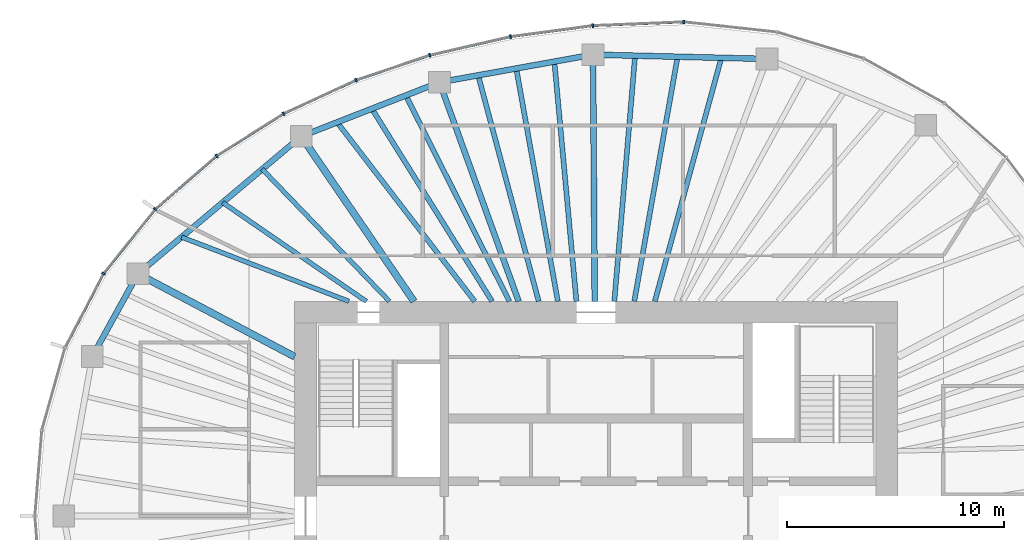
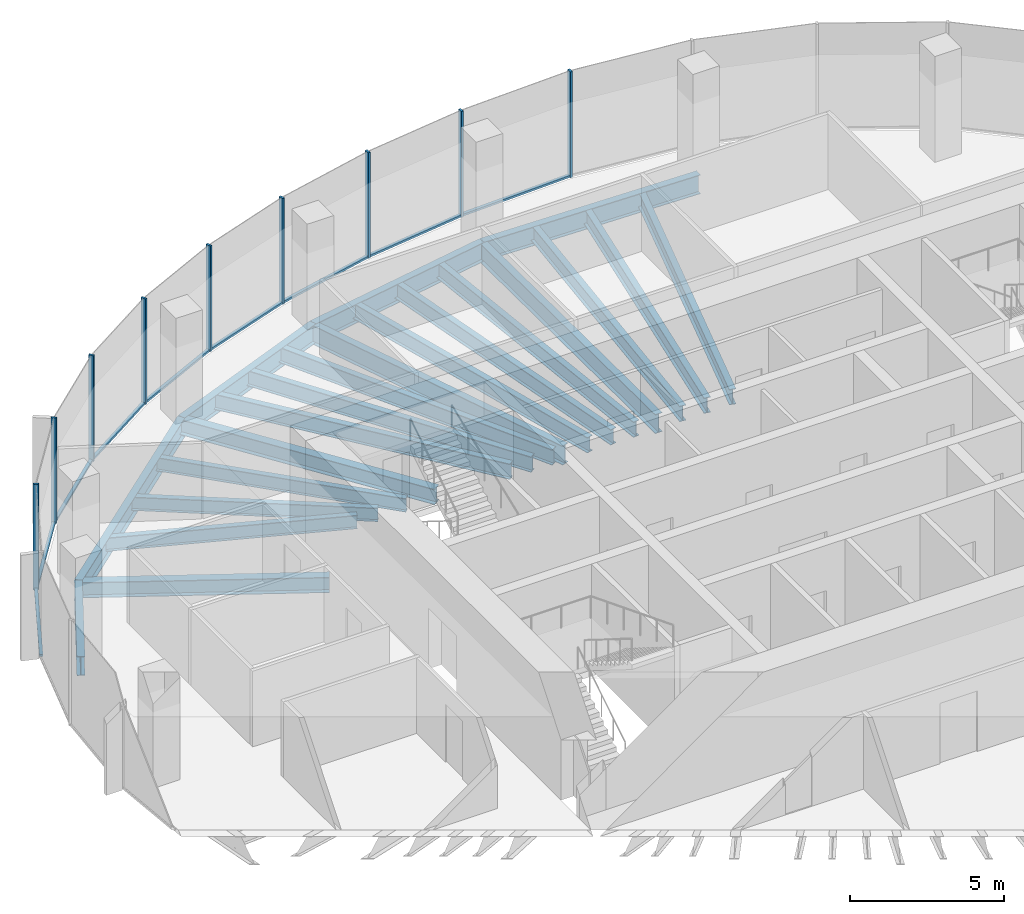
# One storey, part 5 of 11: 21 beams, 18 members, 5 elements without a shape of their own.
"""IFC4 building model written with IfcOpenShell, lengths in metres."""

from ifc_helpers import new_model, si_unit, direction, frame, origin, origin_2d, place, context, subcontext, project, spatial, rectangle, i_section, extrude, material, material_profile, profile_set, type_object, element, aggregate, save


model = new_model("IFC4")

# Units and contexts
model_context = context("Model", 3, precision=1e-05, world=origin(), true_north=direction((0.0, 1.0)))
body_context = subcontext(model_context, "Body", "Model", "MODEL_VIEW")
ifc_project = project(units=[si_unit("LENGTHUNIT", "METRE"), si_unit("AREAUNIT", "SQUARE_METRE"), si_unit("VOLUMEUNIT", "CUBIC_METRE"), si_unit("PLANEANGLEUNIT", "RADIAN"), si_unit("MASSUNIT", "GRAM", prefix="KILO")], contexts=[model_context])

# Site, building, storey
site_placement = place(None, origin())
site = spatial("IfcSite", under=ifc_project, at=site_placement, CompositionType="ELEMENT")
building_placement = place(site_placement, origin())
building = spatial("IfcBuilding", under=site, at=building_placement, Name="Ghaith Harvest Tower", CompositionType="ELEMENT")
storey_placement = place(building_placement, frame((0.0, 0.0, 321.60009765625)))
storey = spatial("IfcBuildingStorey", under=building, at=storey_placement, Name="L72", CompositionType="ELEMENT", Elevation=321.60009765625)

# Curtain wall, member
ifc_material_1 = material(Name="Black anodised aluminium and fritted glass", Category="aluminium")
curtain_wall_type = type_object("IfcCurtainWallType", Name="CW-T CURTAIN WALL", PredefinedType="NOTDEFINED", material=ifc_material_1)
curtain_wall_1_placement = place(storey_placement, origin())
curtain_wall_1 = element("IfcCurtainWall", 1, at=curtain_wall_1_placement, inside=storey, type_object=curtain_wall_type, Name="Curtain wall CW-T bay 05 L72", PredefinedType="NOTDEFINED")
ifc_material_2 = material(Name="Aluminium, black anodised", Category="aluminium")
ifc_material_profile_1 = material_profile(ifc_material_2, rectangle(XDim=0.080078125, YDim=0.179931640625, at=origin_2d()), Name="CW-T MULLION 80x180")
ifc_profile_set_1 = profile_set([ifc_material_profile_1], Name="Aluminium, black anodised")
member_type_1 = type_object("IfcMemberType", Name="CW-T MULLION 80x180", PredefinedType="MULLION", material=ifc_profile_set_1)
member_1_placement = place(storey_placement, frame((4.037841796875, 22.776611328125, 0.0), z_axis=(0.0, 0.0, 1.0), x_axis=(-0.999388631236, 0.034962319079, 0.0)))
member_1 = element("IfcMember", 2, at=member_1_placement, type_object=member_type_1, Name="CW-T mullion 2 bay 05 L72", PredefinedType="MULLION", context=body_context, shape_type="SweptSolid", body=[
    extrude(rectangle(XDim=0.080078125, YDim=0.179931640625, at=origin_2d()), origin(), (0.0, 0.0, 1.0), 4.199951171875),
])

# Curtain wall, members
curtain_wall_2_placement = place(storey_placement, origin())
curtain_wall_2 = element("IfcCurtainWall", 3, at=curtain_wall_2_placement, inside=storey, type_object=curtain_wall_type, Name="Curtain wall CW-T bay 06 L72", PredefinedType="NOTDEFINED")
member_2_placement = place(storey_placement, frame((-0.15478515625, 22.60595703125, 0.0), z_axis=(0.0, 0.0, 1.0), x_axis=(-0.996414855482, -0.084601629853, 0.0)))
member_2 = element("IfcMember", 4, at=member_2_placement, type_object=member_type_1, Name="CW-T mullion 1 bay 06 L72", PredefinedType="MULLION", context=body_context, shape_type="SweptSolid", body=[
    extrude(rectangle(XDim=0.080078125, YDim=0.179931640625, at=origin_2d()), origin(), (0.0, 0.0, 1.0), 4.199951171875),
])
member_3_placement = place(storey_placement, frame((-3.946533203125, 22.0986328125, 0.0), z_axis=(0.0, 0.0, 1.0), x_axis=(-0.983843447681, -0.179030920389, 0.0)))
member_3 = element("IfcMember", 5, at=member_3_placement, type_object=member_type_1, Name="CW-T mullion 2 bay 06 L72", PredefinedType="MULLION", context=body_context, shape_type="SweptSolid", body=[
    extrude(rectangle(XDim=0.080078125, YDim=0.179931640625, at=origin_2d()), origin(), (0.0, 0.0, 1.0), 4.199951171875),
])

curtain_wall_3_placement = place(storey_placement, origin())
curtain_wall_3 = element("IfcCurtainWall", 6, at=curtain_wall_3_placement, inside=storey, type_object=curtain_wall_type, Name="Curtain wall CW-T bay 07 L72", PredefinedType="NOTDEFINED")
member_4_placement = place(storey_placement, frame((-7.6708984375, 21.23828125, 0.0), z_axis=(0.0, 0.0, 1.0), x_axis=(-0.962552491436, -0.27109537294, 0.0)))
member_4 = element("IfcMember", 7, at=member_4_placement, type_object=member_type_1, Name="CW-T mullion 1 bay 07 L72", PredefinedType="MULLION", context=body_context, shape_type="SweptSolid", body=[
    extrude(rectangle(XDim=0.080078125, YDim=0.179931640625, at=origin_2d()), origin(), (0.0, 0.0, 1.0), 4.199951171875),
])
member_5_placement = place(storey_placement, frame((-11.0673828125, 20.093017578125, 0.0), z_axis=(0.0, 0.0, 1.0), x_axis=(-0.928624420706, -0.371021138573, 0.0)))
member_5 = element("IfcMember", 8, at=member_5_placement, type_object=member_type_1, Name="CW-T mullion 2 bay 07 L72", PredefinedType="MULLION", context=body_context, shape_type="SweptSolid", body=[
    extrude(rectangle(XDim=0.080078125, YDim=0.179931640625, at=origin_2d()), origin(), (0.0, 0.0, 1.0), 4.199951171875),
])

curtain_wall_4_placement = place(storey_placement, origin())
curtain_wall_4 = element("IfcCurtainWall", 9, at=curtain_wall_4_placement, inside=storey, type_object=curtain_wall_type, Name="Curtain wall CW-T bay 08 L72", PredefinedType="NOTDEFINED")
member_6_placement = place(storey_placement, frame((-14.40478515625, 18.5478515625, 0.0), z_axis=(0.0, 0.0, 1.0), x_axis=(-0.87867173244, -0.477426420101, 0.0)))
member_6 = element("IfcMember", 10, at=member_6_placement, type_object=member_type_1, Name="CW-T mullion 1 bay 08 L72", PredefinedType="MULLION", context=body_context, shape_type="SweptSolid", body=[
    extrude(rectangle(XDim=0.080078125, YDim=0.179931640625, at=origin_2d()), origin(), (0.0, 0.0, 1.0), 4.199951171875),
])
member_7_placement = place(storey_placement, frame((-17.49462890625, 16.600830078125, 0.0), z_axis=(0.0, 0.0, 1.0), x_axis=(-0.802189888678, -0.597068993084, 0.0)))
member_7 = element("IfcMember", 11, at=member_7_placement, type_object=member_type_1, Name="CW-T mullion 2 bay 08 L72", PredefinedType="MULLION", context=body_context, shape_type="SweptSolid", body=[
    extrude(rectangle(XDim=0.080078125, YDim=0.179931640625, at=origin_2d()), origin(), (0.0, 0.0, 1.0), 4.199951171875),
])

curtain_wall_5_placement = place(storey_placement, origin())
curtain_wall_5 = element("IfcCurtainWall", 12, at=curtain_wall_5_placement, inside=storey, type_object=curtain_wall_type, Name="Curtain wall CW-T bay 09 L72", PredefinedType="NOTDEFINED")
member_8_placement = place(storey_placement, frame((-20.324462890625, 14.141845703125, 0.0), z_axis=(0.0, 0.0, 1.0), x_axis=(-0.692826491995, -0.72110432809, 0.0)))
member_8 = element("IfcMember", 13, at=member_8_placement, type_object=member_type_1, Name="CW-T mullion 1 bay 09 L72", PredefinedType="MULLION", context=body_context, shape_type="SweptSolid", body=[
    extrude(rectangle(XDim=0.080078125, YDim=0.179931640625, at=origin_2d()), origin(), (0.0, 0.0, 1.0), 4.199951171875),
])
member_9_placement = place(storey_placement, frame((-22.706298828125, 11.176513671875, 0.0), z_axis=(0.0, 0.0, 1.0), x_axis=(-0.545865412621, -0.837872872997, 0.0)))
member_9 = element("IfcMember", 14, at=member_9_placement, type_object=member_type_1, Name="CW-T mullion 2 bay 09 L72", PredefinedType="MULLION", context=body_context, shape_type="SweptSolid", body=[
    extrude(rectangle(XDim=0.080078125, YDim=0.179931640625, at=origin_2d()), origin(), (0.0, 0.0, 1.0), 4.199951171875),
])

# Member
ifc_material_3 = material(Name="Aluminium, black anodised", Category="aluminium")
ifc_material_profile_2 = material_profile(ifc_material_3, rectangle(XDim=0.1201171875, YDim=0.080078125, at=origin_2d()), Name="CW-T TRANSOM 120x80")
ifc_profile_set_2 = profile_set([ifc_material_profile_2], Name="Aluminium, black anodised")
member_type_2 = type_object("IfcMemberType", Name="CW-T TRANSOM 120x80", PredefinedType="USERDEFINED", material=ifc_profile_set_2)
member_10_placement = place(storey_placement, frame((3.997802734375, 22.77490234375, 0.039794921875), z_axis=(-0.999174207562, -0.040631304968, 0.0), x_axis=(0.040631304968, -0.999174207562, 0.0)))
member_10 = element("IfcMember", 15, at=member_10_placement, type_object=member_type_2, Name="CW-T transom 2 bay 05 L72", ObjectType="TRANSOM", PredefinedType="USERDEFINED", context=body_context, shape_type="SweptSolid", body=[
    extrude(rectangle(XDim=0.1201171875, YDim=0.080078125, at=origin_2d()), origin(), (0.0, 0.0, 1.0), 4.115966796875),
])

aggregate(curtain_wall_1, [member_1, member_10])

member_11_placement = place(storey_placement, frame((-0.1943359375, 22.6005859375, 0.039794921875), z_axis=(-0.99117202259, -0.132582131655, 0.0), x_axis=(0.132582131655, -0.99117202259, 0.0)))
member_11 = element("IfcMember", 16, at=member_11_placement, type_object=member_type_2, Name="CW-T transom 1 bay 06 L72", ObjectType="TRANSOM", PredefinedType="USERDEFINED", context=body_context, shape_type="SweptSolid", body=[
    extrude(rectangle(XDim=0.1201171875, YDim=0.080078125, at=origin_2d()), origin(), (0.0, 0.0, 1.0), 3.745361328125),
])

member_12_placement = place(storey_placement, frame((-3.9853515625, 22.089599609375, 0.039794921875), z_axis=(-0.974344997799, -0.225059603803, 0.0), x_axis=(0.225059603803, -0.974344997799, 0.0)))
member_12 = element("IfcMember", 17, at=member_12_placement, type_object=member_type_2, Name="CW-T transom 2 bay 06 L72", ObjectType="TRANSOM", PredefinedType="USERDEFINED", context=body_context, shape_type="SweptSolid", body=[
    extrude(rectangle(XDim=0.1201171875, YDim=0.080078125, at=origin_2d()), origin(), (0.0, 0.0, 1.0), 3.742431640625),
])

aggregate(curtain_wall_2, [member_2, member_11, member_3, member_12])

member_13_placement = place(storey_placement, frame((-7.708740234375, 21.2255859375, 0.039794921875), z_axis=(-0.9475698206, -0.319548799228, 0.0), x_axis=(0.319548799228, -0.9475698206, 0.0)))
member_13 = element("IfcMember", 18, at=member_13_placement, type_object=member_type_2, Name="CW-T transom 1 bay 07 L72", ObjectType="TRANSOM", PredefinedType="USERDEFINED", context=body_context, shape_type="SweptSolid", body=[
    extrude(rectangle(XDim=0.1201171875, YDim=0.080078125, at=origin_2d()), origin(), (0.0, 0.0, 1.0), 3.504638671875),
])

member_14_placement = place(storey_placement, frame((-11.103759765625, 20.076171875, 0.039794921875), z_axis=(-0.907472177056, -0.420112184862, 0.0), x_axis=(0.420112184862, -0.907472177056, 0.0)))
member_14 = element("IfcMember", 19, at=member_14_placement, type_object=member_type_2, Name="CW-T transom 2 bay 07 L72", ObjectType="TRANSOM", PredefinedType="USERDEFINED", context=body_context, shape_type="SweptSolid", body=[
    extrude(rectangle(XDim=0.1201171875, YDim=0.080078125, at=origin_2d()), origin(), (0.0, 0.0, 1.0), 3.597900390625),
])

aggregate(curtain_wall_3, [member_4, member_13, member_5, member_14])

member_15_placement = place(storey_placement, frame((-14.438720703125, 18.5263671875, 0.039794921875), z_axis=(-0.846053602505, -0.533097835006, 0.0), x_axis=(0.533097835006, -0.846053602505, 0.0)))
member_15 = element("IfcMember", 20, at=member_15_placement, type_object=member_type_2, Name="CW-T transom 1 bay 08 L72", ObjectType="TRANSOM", PredefinedType="USERDEFINED", context=body_context, shape_type="SweptSolid", body=[
    extrude(rectangle(XDim=0.1201171875, YDim=0.080078125, at=origin_2d()), origin(), (0.0, 0.0, 1.0), 3.572021484375),
])

member_16_placement = place(storey_placement, frame((-17.52490234375, 16.574462890625, 0.039794921875), z_axis=(-0.754851889287, -0.65589528527, 0.0), x_axis=(0.65589528527, -0.754851889287, 0.0)))
member_16 = element("IfcMember", 21, at=member_16_placement, type_object=member_type_2, Name="CW-T transom 2 bay 08 L72", ObjectType="TRANSOM", PredefinedType="USERDEFINED", context=body_context, shape_type="SweptSolid", body=[
    extrude(rectangle(XDim=0.1201171875, YDim=0.080078125, at=origin_2d()), origin(), (0.0, 0.0, 1.0), 3.668701171875),
])

aggregate(curtain_wall_4, [member_6, member_15, member_7, member_16])

member_17_placement = place(storey_placement, frame((-20.349365234375, 14.110595703125, 0.039794921875), z_axis=(-0.626253073761, -0.779619835307, 0.0), x_axis=(0.779619835307, -0.626253073761, 0.0)))
member_17 = element("IfcMember", 22, at=member_17_placement, type_object=member_type_2, Name="CW-T transom 1 bay 09 L72", ObjectType="TRANSOM", PredefinedType="USERDEFINED", context=body_context, shape_type="SweptSolid", body=[
    extrude(rectangle(XDim=0.1201171875, YDim=0.080078125, at=origin_2d()), origin(), (0.0, 0.0, 1.0), 3.723388671875),
])

member_18_placement = place(storey_placement, frame((-22.724609375, 11.14111328125, 0.039794921875), z_axis=(-0.461242681347, -0.887274021317, 0.0), x_axis=(0.887274021317, -0.461242681347, 0.0)))
member_18 = element("IfcMember", 23, at=member_18_placement, type_object=member_type_2, Name="CW-T transom 2 bay 09 L72", ObjectType="TRANSOM", PredefinedType="USERDEFINED", context=body_context, shape_type="SweptSolid", body=[
    extrude(rectangle(XDim=0.1201171875, YDim=0.080078125, at=origin_2d()), origin(), (0.0, 0.0, 1.0), 3.77197265625),
])

aggregate(curtain_wall_5, [member_8, member_17, member_9, member_18])

# Beams
ifc_material_4 = material(Name="Steel ASTM A992 Grade 50", Category="steel")
ifc_material_profile_3 = material_profile(ifc_material_4, i_section(OverallWidth=0.26611328125, OverallDepth=0.758056640625, WebThickness=0.013916015625, FlangeThickness=0.019287109375, at=origin_2d()), Name="W760X161")
ifc_profile_set_3 = profile_set([ifc_material_profile_3], Name="Steel ASTM A992 Grade 50")
beam_type_1 = type_object("IfcBeamType", Name="E760-161 W760X161", PredefinedType="SPANDREL", material=ifc_profile_set_3)
beam_1_placement = place(storey_placement, frame((7.8779296875, 21.072021484375, -0.549072265625), z_axis=(-0.999692679676, 0.024790042413, 0.0), x_axis=(-0.024790042413, -0.999692679676, 0.0)))
element("IfcBeam", 24, at=beam_1_placement, inside=storey, type_object=beam_type_1, Name="Edge beam E05 L72", PredefinedType="SPANDREL", context=body_context, shape_type="SweptSolid", body=[
    extrude(i_section(OverallWidth=0.26611328125, OverallDepth=0.758056640625, WebThickness=0.013916015625, FlangeThickness=0.019287109375, at=origin_2d()), origin(), (0.0, 0.0, 1.0), 8.0263671875),
])
beam_2_placement = place(storey_placement, frame((-0.14599609375, 21.27099609375, -0.549072265625), z_axis=(-0.984177047684, -0.177187863051, 0.0), x_axis=(0.177187863051, -0.984177047684, 0.0)))
element("IfcBeam", 25, at=beam_2_placement, inside=storey, type_object=beam_type_1, Name="Edge beam E06 L72", PredefinedType="SPANDREL", context=body_context, shape_type="SweptSolid", body=[
    extrude(i_section(OverallWidth=0.26611328125, OverallDepth=0.758056640625, WebThickness=0.013916015625, FlangeThickness=0.019287109375, at=origin_2d()), origin(), (0.0, 0.0, 1.0), 7.189697265625),
])
beam_3_placement = place(storey_placement, frame((-7.221923828125, 19.9970703125, -0.549072265625), z_axis=(-0.931322768207, -0.364194867371, 0.0), x_axis=(0.364194867371, -0.931322768207, 0.0)))
element("IfcBeam", 26, at=beam_3_placement, inside=storey, type_object=beam_type_1, Name="Edge beam E07 L72", PredefinedType="SPANDREL", context=body_context, shape_type="SweptSolid", body=[
    extrude(i_section(OverallWidth=0.26611328125, OverallDepth=0.758056640625, WebThickness=0.013916015625, FlangeThickness=0.019287109375, at=origin_2d()), origin(), (0.0, 0.0, 1.0), 6.843017578125),
])
beam_4_placement = place(storey_placement, frame((-13.594970703125, 17.5048828125, -0.549072265625), z_axis=(-0.765021818761, -0.64400436087, 0.0), x_axis=(0.64400436087, -0.765021818761, 0.0)))
element("IfcBeam", 27, at=beam_4_placement, inside=storey, type_object=beam_type_1, Name="Edge beam E08 L72", PredefinedType="SPANDREL", context=body_context, shape_type="SweptSolid", body=[
    extrude(i_section(OverallWidth=0.26611328125, OverallDepth=0.758056640625, WebThickness=0.013916015625, FlangeThickness=0.019287109375, at=origin_2d()), origin(), (0.0, 0.0, 1.0), 9.8427734375),
])
beam_5_placement = place(storey_placement, frame((-21.125, 11.166015625, -0.549072265625), z_axis=(-0.482955575345, -0.875644855089, 0.0), x_axis=(0.875644855089, -0.482955575345, 0.0)))
element("IfcBeam", 28, at=beam_5_placement, inside=storey, type_object=beam_type_1, Name="Edge beam E09 L72", PredefinedType="SPANDREL", context=body_context, shape_type="SweptSolid", body=[
    extrude(i_section(OverallWidth=0.26611328125, OverallDepth=0.758056640625, WebThickness=0.013916015625, FlangeThickness=0.019287109375, at=origin_2d()), origin(), (0.0, 0.0, 1.0), 4.346435546875),
])
ifc_material_5 = material(Name="Steel ASTM A992 Grade 50", Category="steel")
ifc_material_profile_4 = material_profile(ifc_material_5, i_section(OverallWidth=0.323974609375, OverallDepth=0.611083984375, WebThickness=0.0126953125, FlangeThickness=0.01904296875, at=origin_2d()), Name="W610X155")
ifc_profile_set_4 = profile_set([ifc_material_profile_4], Name="Steel ASTM A992 Grade 50")
beam_type_2 = type_object("IfcBeamType", Name="G610-155 W610X155", PredefinedType="BEAM", material=ifc_profile_set_4)
beam_6_placement = place(storey_placement, frame((-8.39990234375, 9.89990234375, -0.4755859375), z_axis=(-0.564067018201, 0.825729010619, 0.0), x_axis=(-0.825729010619, -0.564067018201, 0.0)))
element("IfcBeam", 29, at=beam_6_placement, inside=storey, type_object=beam_type_2, Name="Radial girder G08 L72", PredefinedType="BEAM", context=body_context, shape_type="SweptSolid", body=[
    extrude(i_section(OverallWidth=0.323974609375, OverallDepth=0.611083984375, WebThickness=0.0126953125, FlangeThickness=0.01904296875, at=origin_2d()), origin(), (0.0, 0.0, 1.0), 9.2099609375),
])
beam_7_placement = place(storey_placement, frame((-13.89990234375, 7.34716796875, -0.4755859375), z_axis=(-0.88410164037, 0.467294649546, 0.0), x_axis=(-0.467294649546, -0.88410164037, 0.0)))
element("IfcBeam", 30, at=beam_7_placement, inside=storey, type_object=beam_type_2, Name="Radial girder G09 L72", PredefinedType="BEAM", context=body_context, shape_type="SweptSolid", body=[
    extrude(i_section(OverallWidth=0.323974609375, OverallDepth=0.611083984375, WebThickness=0.0126953125, FlangeThickness=0.01904296875, at=origin_2d()), origin(), (0.0, 0.0, 1.0), 8.17236328125),
])
ifc_material_6 = material(Name="Steel ASTM A992 Grade 50", Category="steel")
ifc_material_profile_5 = material_profile(ifc_material_6, i_section(OverallWidth=0.26611328125, OverallDepth=0.758056640625, WebThickness=0.013916015625, FlangeThickness=0.019287109375, at=origin_2d()), Name="W760X161")
ifc_profile_set_5 = profile_set([ifc_material_profile_5], Name="Steel ASTM A992 Grade 50")
beam_type_3 = type_object("IfcBeamType", Name="G760-161 W760X161", PredefinedType="BEAM", material=ifc_profile_set_5)
beam_8_placement = place(storey_placement, frame((-0.06787109375, 9.89990234375, -0.549072265625), z_axis=(-0.00687032909, 0.999976399011, 0.0), x_axis=(-0.999976399011, -0.00687032909, 0.0)))
element("IfcBeam", 31, at=beam_8_placement, inside=storey, type_object=beam_type_3, Name="Radial girder G06 L72", PredefinedType="BEAM", context=body_context, shape_type="SweptSolid", body=[
    extrude(i_section(OverallWidth=0.26611328125, OverallDepth=0.758056640625, WebThickness=0.013916015625, FlangeThickness=0.019287109375, at=origin_2d()), origin(), (0.0, 0.0, 1.0), 11.371337890625),
])
beam_9_placement = place(storey_placement, frame((-3.57568359375, 9.89990234375, -0.549072265625), z_axis=(-0.339647816823, 0.940552688863, 0.0), x_axis=(-0.940552688863, -0.339647816823, 0.0)))
element("IfcBeam", 32, at=beam_9_placement, inside=storey, type_object=beam_type_3, Name="Radial girder G07 L72", PredefinedType="BEAM", context=body_context, shape_type="SweptSolid", body=[
    extrude(i_section(OverallWidth=0.26611328125, OverallDepth=0.758056640625, WebThickness=0.013916015625, FlangeThickness=0.019287109375, at=origin_2d()), origin(), (0.0, 0.0, 1.0), 10.7353515625),
])
ifc_material_7 = material(Name="Steel ASTM A992 Grade 50", Category="steel")
ifc_material_profile_6 = material_profile(ifc_material_7, i_section(OverallWidth=0.2109375, OverallDepth=0.5390625, WebThickness=0.01171875, FlangeThickness=0.018798828125, at=origin_2d()), Name="W530X109")
ifc_profile_set_6 = profile_set([ifc_material_profile_6], Name="Steel ASTM A992 Grade 50")
beam_type_4 = type_object("IfcBeamType", Name="J530-109 W530X109", PredefinedType="JOIST", material=ifc_profile_set_6)
beam_10_placement = place(storey_placement, frame((-9.530517578125, 9.89990234375, -0.439697265625), z_axis=(-0.693536238632, 0.720421741554, 0.0), x_axis=(-0.720421741554, -0.693536238632, 0.0)))
element("IfcBeam", 33, at=beam_10_placement, inside=storey, type_object=beam_type_4, Name="Joist J08.1 L72", PredefinedType="JOIST", context=body_context, shape_type="SweptSolid", body=[
    extrude(i_section(OverallWidth=0.2109375, OverallDepth=0.5390625, WebThickness=0.01171875, FlangeThickness=0.018798828125, at=origin_2d()), origin(), (0.0, 0.0, 1.0), 8.4541015625),
])
beam_11_placement = place(storey_placement, frame((-10.60009765625, 9.89990234375, -0.439697265625), z_axis=(-0.823778502511, 0.566911791023, 0.0), x_axis=(-0.566911791023, -0.823778502511, 0.0)))
element("IfcBeam", 34, at=beam_11_placement, inside=storey, type_object=beam_type_4, Name="Joist J08.2 L72", PredefinedType="JOIST", context=body_context, shape_type="SweptSolid", body=[
    extrude(i_section(OverallWidth=0.2109375, OverallDepth=0.5390625, WebThickness=0.01171875, FlangeThickness=0.018798828125, at=origin_2d()), origin(), (0.0, 0.0, 1.0), 8.0341796875),
])
beam_12_placement = place(storey_placement, frame((-11.39990234375, 9.89990234375, -0.439697265625), z_axis=(-0.933583045329, 0.358361127181, 0.0), x_axis=(-0.358361127181, -0.933583045329, 0.0)))
element("IfcBeam", 35, at=beam_12_placement, inside=storey, type_object=beam_type_4, Name="Joist J08.3 L72", PredefinedType="JOIST", context=body_context, shape_type="SweptSolid", body=[
    extrude(i_section(OverallWidth=0.2109375, OverallDepth=0.5390625, WebThickness=0.01171875, FlangeThickness=0.018798828125, at=origin_2d()), origin(), (0.0, 0.0, 1.0), 8.260986328125),
])
ifc_material_8 = material(Name="Steel ASTM A992 Grade 50", Category="steel")
ifc_material_profile_7 = material_profile(ifc_material_8, i_section(OverallWidth=0.22998046875, OverallDepth=0.616943359375, WebThickness=0.01318359375, FlangeThickness=0.022216796875, at=origin_2d()), Name="W610X140")
ifc_profile_set_7 = profile_set([ifc_material_profile_7], Name="Steel ASTM A992 Grade 50")
beam_type_5 = type_object("IfcBeamType", Name="J610-140 W610X140", PredefinedType="JOIST", material=ifc_profile_set_7)
beam_13_placement = place(storey_placement, frame((2.70361328125, 9.89990234375, -0.478515625), z_axis=(0.263456499314, 0.964671277156, 0.0), x_axis=(-0.964671277156, 0.263456499314, 0.0)))
element("IfcBeam", 36, at=beam_13_placement, inside=storey, type_object=beam_type_5, Name="Joist J05.1 L72", PredefinedType="JOIST", context=body_context, shape_type="SweptSolid", body=[
    extrude(i_section(OverallWidth=0.22998046875, OverallDepth=0.616943359375, WebThickness=0.01318359375, FlangeThickness=0.022216796875, at=origin_2d()), origin(), (0.0, 0.0, 1.0), 11.635498046875),
])
beam_14_placement = place(storey_placement, frame((1.7548828125, 9.89990234375, -0.478515625), z_axis=(0.174562528022, 0.984646090639, 0.0), x_axis=(-0.984646090639, 0.174562528022, 0.0)))
element("IfcBeam", 37, at=beam_14_placement, inside=storey, type_object=beam_type_5, Name="Joist J05.2 L72", PredefinedType="JOIST", context=body_context, shape_type="SweptSolid", body=[
    extrude(i_section(OverallWidth=0.22998046875, OverallDepth=0.616943359375, WebThickness=0.01318359375, FlangeThickness=0.022216796875, at=origin_2d()), origin(), (0.0, 0.0, 1.0), 11.4501953125),
])
beam_15_placement = place(storey_placement, frame((0.836669921875, 9.89990234375, -0.478515625), z_axis=(0.084199386432, 0.996448926601, 0.0), x_axis=(-0.996448926601, 0.084199386432, 0.0)))
element("IfcBeam", 38, at=beam_15_placement, inside=storey, type_object=beam_type_5, Name="Joist J05.3 L72", PredefinedType="JOIST", context=body_context, shape_type="SweptSolid", body=[
    extrude(i_section(OverallWidth=0.22998046875, OverallDepth=0.616943359375, WebThickness=0.01318359375, FlangeThickness=0.022216796875, at=origin_2d()), origin(), (0.0, 0.0, 1.0), 11.36328125),
])
beam_16_placement = place(storey_placement, frame((-0.9111328125, 9.89990234375, -0.478515625), z_axis=(-0.091654473201, 0.995790870385, 0.0), x_axis=(-0.995790870385, -0.091654473201, 0.0)))
element("IfcBeam", 39, at=beam_16_placement, inside=storey, type_object=beam_type_5, Name="Joist J06.1 L72", PredefinedType="JOIST", context=body_context, shape_type="SweptSolid", body=[
    extrude(i_section(OverallWidth=0.22998046875, OverallDepth=0.616943359375, WebThickness=0.01318359375, FlangeThickness=0.022216796875, at=origin_2d()), origin(), (0.0, 0.0, 1.0), 11.096923828125),
])
beam_17_placement = place(storey_placement, frame((-1.76806640625, 9.89990234375, -0.478515625), z_axis=(-0.175789088574, 0.984427852277, 0.0), x_axis=(-0.984427852277, -0.175789088574, 0.0)))
element("IfcBeam", 40, at=beam_17_placement, inside=storey, type_object=beam_type_5, Name="Joist J06.2 L72", PredefinedType="JOIST", context=body_context, shape_type="SweptSolid", body=[
    extrude(i_section(OverallWidth=0.22998046875, OverallDepth=0.616943359375, WebThickness=0.01318359375, FlangeThickness=0.022216796875, at=origin_2d()), origin(), (0.0, 0.0, 1.0), 10.903564453125),
])
beam_18_placement = place(storey_placement, frame((-2.651123046875, 9.89990234375, -0.478515625), z_axis=(-0.258678376387, 0.96596350738, 0.0), x_axis=(-0.96596350738, -0.258678376387, 0.0)))
element("IfcBeam", 41, at=beam_18_placement, inside=storey, type_object=beam_type_5, Name="Joist J06.3 L72", PredefinedType="JOIST", context=body_context, shape_type="SweptSolid", body=[
    extrude(i_section(OverallWidth=0.22998046875, OverallDepth=0.616943359375, WebThickness=0.01318359375, FlangeThickness=0.022216796875, at=origin_2d()), origin(), (0.0, 0.0, 1.0), 10.784912109375),
])
beam_19_placement = place(storey_placement, frame((-4.0, 9.89990234375, -0.478515625), z_axis=(-0.449556131123, 0.893252083664, 0.0), x_axis=(-0.893252083664, -0.449556131123, 0.0)))
element("IfcBeam", 42, at=beam_19_placement, inside=storey, type_object=beam_type_5, Name="Joist J07.1 L72", PredefinedType="JOIST", context=body_context, shape_type="SweptSolid", body=[
    extrude(i_section(OverallWidth=0.22998046875, OverallDepth=0.616943359375, WebThickness=0.01318359375, FlangeThickness=0.022216796875, at=origin_2d()), origin(), (0.0, 0.0, 1.0), 10.62353515625),
])
beam_20_placement = place(storey_placement, frame((-4.800048828125, 9.89990234375, -0.478515625), z_axis=(-0.529596254905, 0.848249849273, 0.0), x_axis=(-0.848249849273, -0.529596254905, 0.0)))
element("IfcBeam", 43, at=beam_20_placement, inside=storey, type_object=beam_type_5, Name="Joist J07.2 L72", PredefinedType="JOIST", context=body_context, shape_type="SweptSolid", body=[
    extrude(i_section(OverallWidth=0.22998046875, OverallDepth=0.616943359375, WebThickness=0.01318359375, FlangeThickness=0.022216796875, at=origin_2d()), origin(), (0.0, 0.0, 1.0), 10.465087890625),
])
beam_21_placement = place(storey_placement, frame((-5.60009765625, 9.89990234375, -0.478515625), z_axis=(-0.609353577926, 0.792898617144, 0.0), x_axis=(-0.792898617144, -0.609353577926, 0.0)))
element("IfcBeam", 44, at=beam_21_placement, inside=storey, type_object=beam_type_5, Name="Joist J07.3 L72", PredefinedType="JOIST", context=body_context, shape_type="SweptSolid", body=[
    extrude(i_section(OverallWidth=0.22998046875, OverallDepth=0.616943359375, WebThickness=0.01318359375, FlangeThickness=0.022216796875, at=origin_2d()), origin(), (0.0, 0.0, 1.0), 10.406982421875),
])

save(model, "model.ifc")
